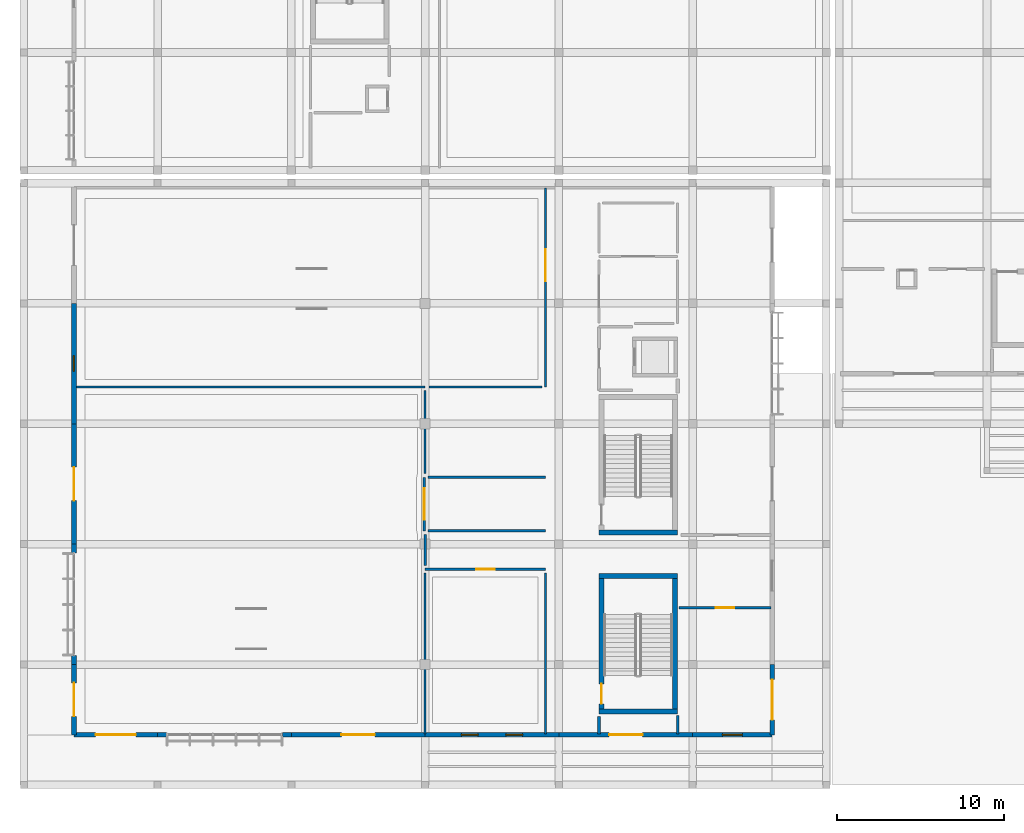
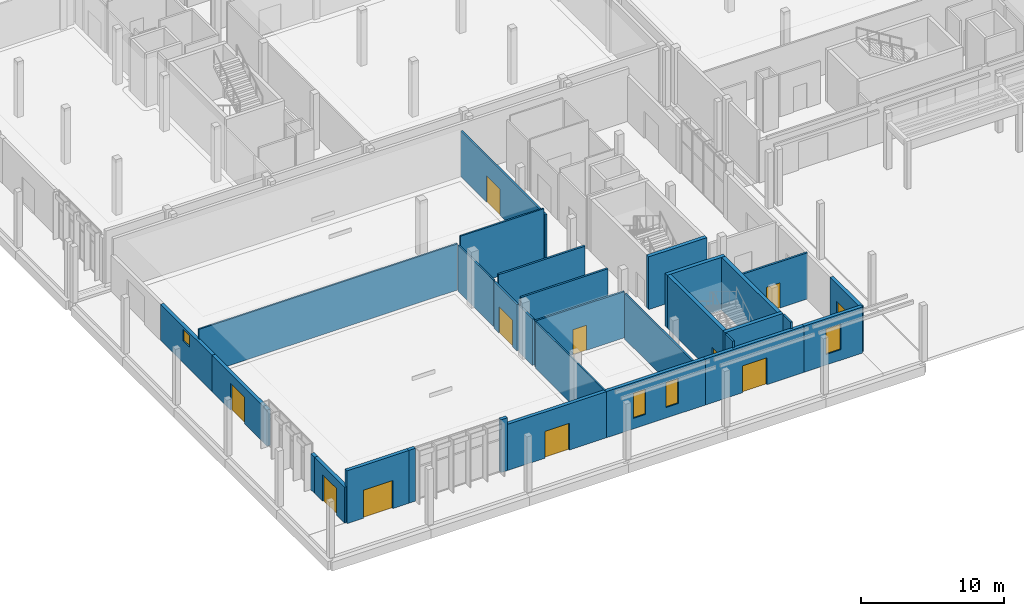
# One storey, part 115 of 151: 32 walls, 11 doors, 4 windows, 15 openings.
"""IFC4 building model written with IfcOpenShell, lengths in metres."""

import ifcopenshell
import ifcopenshell.guid

model = None  # the IFC model being written
_history = None  # IfcOwnerHistory: only IFC2X3 demands one
_inside = {}  # id of a spatial element -> (the spatial element, [elements in it])
_under = {}  # id of a project, library or spatial element -> (it, [spatial elements below it])
_declared = {}  # id of a project -> (the project, [libraries it declares])
_typed = {}  # id of a type object -> (the type object, [elements of that type])
_made_of = {}  # id of a material, layer set ... -> (it, [elements and type objects made of it])


def new_model(schema):
    """Start an empty IFC model of exactly this schema.

    Asked for "IFC4X3", IfcOpenShell would pick the latest addendum, in which some entities
    have other attributes; the version numbers below select the first issue.
    IFC2X3 requires an IfcOwnerHistory on every rooted entity: one is made here for all.
    """
    global model, _history
    if schema == "IFC4X3":
        model = ifcopenshell.file(schema_version=(4, 3, 0, 0))
    else:
        model = ifcopenshell.file(schema=schema)
    _inside.clear()
    _under.clear()
    _declared.clear()
    _typed.clear()
    _made_of.clear()
    _history = None
    if model.schema == "IFC2X3":
        org = make("IfcOrganization", Name="unknown")
        user = make(
            "IfcPersonAndOrganization",
            ThePerson=make("IfcPerson", FamilyName="unknown"),
            TheOrganization=org,
        )
        app = make(
            "IfcApplication",
            ApplicationDeveloper=org,
            Version="unknown",
            ApplicationFullName="unknown",
            ApplicationIdentifier="unknown",
        )
        _history = make(
            "IfcOwnerHistory",
            OwningUser=user,
            OwningApplication=app,
            ChangeAction="ADDED",
            CreationDate=0,
        )
    return model


def make(cls, **values):
    """One entity of the class cls with the attributes given. An attribute that is None is left unset."""
    return model.create_entity(
        cls, **{name: value for name, value in values.items() if value is not None}
    )


def rooted(cls, **values):
    """An entity with a GlobalId (a new one), such as an element, a storey or a relation."""
    return make(cls, GlobalId=ifcopenshell.guid.new(), OwnerHistory=_history, **values)


def si_unit(unit_type, name, prefix=None):
    """IfcSIUnit, for example si_unit("LENGTHUNIT", "METRE", prefix="MILLI")."""
    return make("IfcSIUnit", UnitType=unit_type, Prefix=prefix, Name=name)


def assignment(units):
    """IfcUnitAssignment: the units of a project."""
    return None if units is None else make("IfcUnitAssignment", Units=units)


def point(xyz):
    """IfcCartesianPoint."""
    return None if xyz is None else make("IfcCartesianPoint", Coordinates=xyz)


def direction(xyz):
    """IfcDirection."""
    return None if xyz is None else make("IfcDirection", DirectionRatios=xyz)


def frame(location, z_axis=None, x_axis=None):
    """IfcAxis2Placement3D, a coordinate frame: its origin and axes. An axis left out is left unset."""
    return make(
        "IfcAxis2Placement3D",
        Location=point(location),
        Axis=direction(z_axis),
        RefDirection=direction(x_axis),
    )


def frame_2d(location, x_axis=None):
    """IfcAxis2Placement2D, a coordinate frame in the plane: its origin and x axis."""
    return make(
        "IfcAxis2Placement2D", Location=point(location), RefDirection=direction(x_axis)
    )


def origin():
    """The frame at (0, 0, 0) with its axes left unset."""
    return frame((0.0, 0.0, 0.0))


def place(relative_to, where):
    """IfcLocalPlacement: puts the frame where relative to a parent placement (None: the world)."""
    return make(
        "IfcLocalPlacement", PlacementRelTo=relative_to, RelativePlacement=where
    )


def context(
    kind, dimensions, precision=None, world=None, true_north=None, identifier=None
):
    """IfcGeometricRepresentationContext, for example the 3D "Model" context."""
    return make(
        "IfcGeometricRepresentationContext",
        ContextIdentifier=identifier,
        ContextType=kind,
        CoordinateSpaceDimension=dimensions,
        Precision=precision,
        WorldCoordinateSystem=world,
        TrueNorth=true_north,
    )


def subcontext(parent, identifier, kind, view, scale=None):
    """IfcGeometricRepresentationSubContext, for example "Body" below "Model"."""
    return make(
        "IfcGeometricRepresentationSubContext",
        ContextIdentifier=identifier,
        ContextType=kind,
        ParentContext=parent,
        TargetScale=scale,
        TargetView=view,
    )


def project(units=None, contexts=None):
    """IfcProject with its units and contexts."""
    return rooted(
        "IfcProject",
        Name="project",
        RepresentationContexts=contexts,
        UnitsInContext=assignment(units),
    )


def spatial(cls, under=None, at=None, **own):
    """A site, building, storey or space (cls), placed at a placement, below another one or the project."""
    s = rooted(cls, ObjectPlacement=at, **own)
    if under is not None:
        _under.setdefault(under.id(), (under, []))[1].append(s)
    return s


def profile(cls, at=None, kind="AREA", **sizes):
    """A parametric profile (cls). Its sizes go by their IFC names, for example OverallWidth=200.0."""
    return make(cls, ProfileType=kind, Position=at, **sizes)


def rectangle(**sizes):
    """IfcRectangleProfileDef."""
    return profile("IfcRectangleProfileDef", **sizes)


def extrude(swept, where, along, depth):
    """IfcExtrudedAreaSolid: the profile swept, set in the frame where, extruded along a direction by depth."""
    return make(
        "IfcExtrudedAreaSolid",
        SweptArea=swept,
        Position=where,
        ExtrudedDirection=direction(along),
        Depth=depth,
    )


def shape(context_of_items, identifier, shape_type, items):
    """IfcShapeRepresentation: the items that make up one representation, for example the "Body"."""
    return make(
        "IfcShapeRepresentation",
        ContextOfItems=context_of_items,
        RepresentationIdentifier=identifier,
        RepresentationType=shape_type,
        Items=items,
    )


def material(Name=None, Category=None):
    """IfcMaterial."""
    return make("IfcMaterial", Name=Name, Category=Category)


def layer(
    of_material, thickness, ventilated=None, Name=None, Category=None, Priority=None
):
    """IfcMaterialLayer: one layer of a wall or slab, of a material (None: an air gap)."""
    return make(
        "IfcMaterialLayer",
        Material=of_material,
        LayerThickness=thickness,
        IsVentilated=ventilated,
        Name=Name,
        Category=Category,
        Priority=Priority,
    )


def layer_set(layers, Name=None):
    """IfcMaterialLayerSet."""
    return make("IfcMaterialLayerSet", MaterialLayers=layers, LayerSetName=Name)


def made_of(thing, what):
    """Note that an element or type object is made of a material, layer set ...; save() writes the relation."""
    if what is not None:
        _made_of.setdefault(what.id(), (what, []))[1].append(thing)
    return thing


def type_object(cls, material=None, **own):
    """A type object (cls), such as IfcWallType, which elements share."""
    return made_of(rooted(cls, **own), material)


def element(
    cls,
    number,
    at=None,
    inside=None,
    cuts=None,
    type_object=None,
    material=None,
    context=None,
    identifier="Body",
    shape_type=None,
    held_by="IfcProductDefinitionShape",
    body=None,
    shapes=None,
    **own,
):
    """One element of the class cls, such as IfcWall. Its Tag is "e" and its number.

    at: its placement. inside: the storey or other place that contains it. cuts: it is an
    opening in that element (IfcRelVoidsElement). A single representation is given by context,
    identifier, shape_type and body (its items); several are given by shapes. held_by: the class
    of the entity that holds the representations. save() writes the other relations.
    """
    e = rooted(cls, Tag="e%d" % number, ObjectPlacement=at, **own)
    if body is not None:
        shapes = [shape(context, identifier, shape_type, body)]
    if shapes is not None:
        e.Representation = make(held_by, Representations=shapes)
    if inside is not None:
        _inside.setdefault(inside.id(), (inside, []))[1].append(e)
    if cuts is not None:
        rooted(
            "IfcRelVoidsElement", RelatingBuildingElement=cuts, RelatedOpeningElement=e
        )
    if type_object is not None:
        _typed.setdefault(type_object.id(), (type_object, []))[1].append(e)
    return made_of(e, material)


def fill(opening, filler):
    """IfcRelFillsElement: the door or window that sits in an opening."""
    return rooted(
        "IfcRelFillsElement",
        RelatingOpeningElement=opening,
        RelatedBuildingElement=filler,
    )


def aggregate(whole, parts):
    """IfcRelAggregates: a whole, such as a stair, and the parts it consists of."""
    return rooted("IfcRelAggregates", RelatingObject=whole, RelatedObjects=parts)


def save(model, path):
    """Write the relations noted so far, then the file.

    IfcRelAggregates (storeys below a building ...), IfcRelContainedInSpatialStructure (elements
    in a storey), IfcRelDefinesByType, IfcRelAssociatesMaterial and IfcRelDeclares: one each for
    every whole, place, type object, material and project.
    """
    for whole, parts in _under.values():
        aggregate(whole, parts)
    for where, things in _inside.values():
        rooted(
            "IfcRelContainedInSpatialStructure",
            RelatedElements=things,
            RelatingStructure=where,
        )
    for kind, things in _typed.values():
        rooted("IfcRelDefinesByType", RelatedObjects=things, RelatingType=kind)
    for what, things in _made_of.values():
        rooted("IfcRelAssociatesMaterial", RelatedObjects=things, RelatingMaterial=what)
    for by, libraries in _declared.values():
        rooted("IfcRelDeclares", RelatingContext=by, RelatedDefinitions=libraries)
    model.write(path)


model = new_model("IFC4")

# Units and contexts
model_context = context("Model", 3, precision=1e-05, world=origin(), true_north=direction((0.0, 1.0)))
body_context = subcontext(model_context, "Body", "Model", "MODEL_VIEW")
ifc_project = project(units=[si_unit("LENGTHUNIT", "METRE"), si_unit("AREAUNIT", "SQUARE_METRE"), si_unit("VOLUMEUNIT", "CUBIC_METRE"), si_unit("PLANEANGLEUNIT", "RADIAN"), si_unit("MASSUNIT", "GRAM", prefix="KILO")], contexts=[model_context])

# Site, building, storey
site_placement = place(None, origin())
site = spatial("IfcSite", under=ifc_project, at=site_placement, CompositionType="ELEMENT")
building_placement = place(site_placement, origin())
building = spatial("IfcBuilding", under=site, at=building_placement, Name="Chiffa Square Polytechnic", CompositionType="ELEMENT")
storey_placement = place(building_placement, origin())
storey = spatial("IfcBuildingStorey", under=building, at=storey_placement, Name="L00", CompositionType="ELEMENT", Elevation=0.0)

# Walls
ifc_material_1 = material(Name="Concrete C40/50", Category="concrete")
ifc_layer_1 = layer(ifc_material_1, 0.300048828125, Name="Concrete C40/50")
ifc_layer_set_1 = layer_set([ifc_layer_1], Name="Concrete C40/50")
wall_type_1 = type_object("IfcWallType", Name="WL-CORE-300", PredefinedType="SHEAR", material=ifc_layer_set_1)
for number, where, z_axis, x_axis, name in (
    (1, (34.39990234375, 4.39990234375, 0.0), (0.0, 0.0, 1.0), (1.0, 0.0, 0.0), "Core or enclosure wall WC-CORE-V3A-L00-SOUTH"),
    (2, (34.39990234375, 12.5, 0.0), (0.0, 0.0, 1.0), (1.0, 0.0, 0.0), "Core or enclosure wall WC-CORE-V3A-L00-NORTH"),
):
    element("IfcWall", number, at=place(storey_placement, frame(where, z_axis=z_axis, x_axis=x_axis)), inside=storey, type_object=wall_type_1, Name=name, PredefinedType="SHEAR", context=body_context, shape_type="SweptSolid", body=[
        extrude(rectangle(XDim=4.7001953125, YDim=0.300048828125, at=frame_2d((2.35009765625, 0.0))), origin(), (0.0, 0.0, 1.0), 4.52001953125),
    ])

# Wall, opening, door
wall_1_placement = place(storey_placement, frame((34.550048828125, 4.550048828125, 0.0), z_axis=(0.0, 0.0, 1.0), x_axis=(0.0, 1.0, 0.0)))
wall_1 = element("IfcWall", 3, at=wall_1_placement, inside=storey, type_object=wall_type_1, Name="Core or enclosure wall WC-CORE-V3A-L00-WEST", PredefinedType="SHEAR", context=body_context, shape_type="SweptSolid", body=[
    extrude(rectangle(XDim=7.800048828125, YDim=0.300048828125, at=frame_2d((3.89990234375, 0.0))), origin(), (0.0, 0.0, 1.0), 4.52001953125),
])
opening_1_placement = place(wall_1_placement, frame((0.300048828125, 0.0, 0.0)))
opening_1 = element("IfcOpeningElement", 4, at=opening_1_placement, cuts=wall_1, Name="Opening DS-L00-021", PredefinedType="OPENING", context=body_context, shape_type="SweptSolid", body=[
    extrude(rectangle(XDim=1.199951171875, YDim=2.14990234375, at=frame_2d((0.60009765625, 1.074951171875))), frame((0.0, 0.16015625, 0.0), z_axis=(0.0, -1.0, 0.0), x_axis=(1.0, 0.0, 0.0)), (0.0, 0.0, 1.0), 0.320068359375),
])
ifc_material_2 = material(Name="Fire-rated painted steel leaf", Category="steel")
door_type_1 = type_object("IfcDoorType", Name="DR-STAIR-1200", OperationType="NOTDEFINED", PredefinedType="DOOR", material=ifc_material_2)
door_1_placement = place(opening_1_placement, origin())
door_1 = element("IfcDoor", 5, at=door_1_placement, inside=storey, type_object=door_type_1, Name="Enclosure door DS-L00-021", OperationType="SINGLE_SWING_LEFT", OverallHeight=2.14990234375, OverallWidth=1.199951171875, PredefinedType="DOOR", context=body_context, shape_type="SweptSolid", body=[
    extrude(rectangle(XDim=1.199951171875, YDim=2.14990234375, at=frame_2d((0.60009765625, 1.074951171875))), frame((0.0, 0.02490234375, 0.0), z_axis=(0.0, -1.0, 0.0), x_axis=(1.0, 0.0, 0.0)), (0.0, 0.0, 1.0), 0.050048828125),
])
fill(opening_1, door_1)

# Walls
wall_2_placement = place(storey_placement, frame((38.949951171875, 4.550048828125, 0.0), z_axis=(0.0, 0.0, 1.0), x_axis=(0.0, 1.0, 0.0)))
element("IfcWall", 6, at=wall_2_placement, inside=storey, type_object=wall_type_1, Name="Core or enclosure wall WC-CORE-V3A-L00-EAST", PredefinedType="SHEAR", context=body_context, shape_type="SweptSolid", body=[
    extrude(rectangle(XDim=7.800048828125, YDim=0.300048828125, at=frame_2d((3.89990234375, 0.0))), origin(), (0.0, 0.0, 1.0), 4.52001953125),
])
wall_3_placement = place(storey_placement, frame((34.39990234375, 15.10009765625, 0.0), z_axis=(0.0, 0.0, 1.0), x_axis=(1.0, 0.0, 0.0)))
element("IfcWall", 7, at=wall_3_placement, inside=storey, type_object=wall_type_1, Name="Core or enclosure wall WC-CORE-V3B-L00-SOUTH", PredefinedType="SHEAR", context=body_context, shape_type="SweptSolid", body=[
    extrude(rectangle(XDim=4.7001953125, YDim=0.300048828125, at=frame_2d((2.35009765625, 0.0))), origin(), (0.0, 0.0, 1.0), 4.52001953125),
])

# Wall, opening, door
ifc_material_3 = material(Name="Precast concrete C40/50", Category="concrete")
ifc_layer_2 = layer(ifc_material_3, 0.280029296875, Name="Precast concrete C40/50")
ifc_layer_set_2 = layer_set([ifc_layer_2], Name="Precast concrete C40/50")
wall_type_2 = type_object("IfcWallType", Name="WL-EXT-PC280", PredefinedType="SOLIDWALL", material=ifc_layer_set_2)
wall_4_placement = place(storey_placement, frame((3.0, 3.0, 0.0), z_axis=(0.0, 0.0, 1.0), x_axis=(1.0, 0.0, 0.0)))
wall_4 = element("IfcWall", 8, at=wall_4_placement, inside=storey, type_object=wall_type_2, Name="Exterior wall WE-V3-L00-0131", PredefinedType="SOLIDWALL", context=body_context, shape_type="SweptSolid", body=[
    extrude(rectangle(XDim=5.0, YDim=0.280029296875, at=frame_2d((2.5, 0.0))), origin(), (0.0, 0.0, 1.0), 4.52001953125),
])
opening_2_placement = place(wall_4_placement, frame((1.300048828125, 0.0, 0.0)))
opening_2 = element("IfcOpeningElement", 9, at=opening_2_placement, cuts=wall_4, Name="Opening DE-L00-019", PredefinedType="OPENING", context=body_context, shape_type="SweptSolid", body=[
    extrude(rectangle(XDim=2.39990234375, YDim=2.39990234375, at=frame_2d((1.199951171875, 1.199951171875))), frame((0.0, 0.14990234375, 0.0), z_axis=(0.0, -1.0, 0.0), x_axis=(1.0, 0.0, 0.0)), (0.0, 0.0, 1.0), 0.300048828125),
])
ifc_material_4 = material(Name="Aluminium and laminated safety glass", Category="aluminium")
door_type_2 = type_object("IfcDoorType", Name="DR-EXIT-DBL-2400", OperationType="DOUBLE_DOOR_SINGLE_SWING", PredefinedType="DOOR", material=ifc_material_4)
door_2_placement = place(opening_2_placement, origin())
door_2 = element("IfcDoor", 10, at=door_2_placement, inside=storey, type_object=door_type_2, Name="Exterior door DE-L00-019", OperationType="DOUBLE_DOOR_SINGLE_SWING", OverallHeight=2.39990234375, OverallWidth=2.39990234375, PredefinedType="DOOR", context=body_context, shape_type="SweptSolid", body=[
    extrude(rectangle(XDim=2.39990234375, YDim=2.39990234375, at=frame_2d((1.199951171875, 1.199951171875))), frame((0.0, 0.02490234375, 0.0), z_axis=(0.0, -1.0, 0.0), x_axis=(1.0, 0.0, 0.0)), (0.0, 0.0, 1.0), 0.050048828125),
])
fill(opening_2, door_2)

# Walls
for number, where, z_axis, x_axis, name in (
    (11, (8.0, 3.0, 0.0), (0.0, 0.0, 1.0), (1.0, 0.0, 0.0), "Facade column pier V3-L00-0132L"),
    (12, (15.4599609375, 3.0, 0.0), (0.0, 0.0, 1.0), (1.0, 0.0, 0.0), "Facade column pier V3-L00-0132R"),
):
    element("IfcWall", number, at=place(storey_placement, frame(where, z_axis=z_axis, x_axis=x_axis)), inside=storey, type_object=wall_type_2, Name=name, PredefinedType="SOLIDWALL", context=body_context, shape_type="SweptSolid", body=[
        extrude(rectangle(XDim=0.5400390625, YDim=0.280029296875, at=frame_2d((0.27001953125, 0.0))), origin(), (0.0, 0.0, 1.0), 4.52001953125),
    ])

# Wall, opening, door
wall_5_placement = place(storey_placement, frame((16.0, 3.0, 0.0), z_axis=(0.0, 0.0, 1.0), x_axis=(1.0, 0.0, 0.0)))
wall_5 = element("IfcWall", 13, at=wall_5_placement, inside=storey, type_object=wall_type_2, Name="Exterior wall WE-V3-L00-0133", PredefinedType="SOLIDWALL", context=body_context, shape_type="SweptSolid", body=[
    extrude(rectangle(XDim=8.0, YDim=0.280029296875, at=frame_2d((4.0, 0.0))), origin(), (0.0, 0.0, 1.0), 3.955078125),
])
opening_3_placement = place(wall_5_placement, frame((3.0, 0.0, 0.0)))
opening_3 = element("IfcOpeningElement", 14, at=opening_3_placement, cuts=wall_5, Name="Opening DE-L00-020", PredefinedType="OPENING", context=body_context, shape_type="SweptSolid", body=[
    extrude(rectangle(XDim=2.0, YDim=2.300048828125, at=frame_2d((1.0, 1.14990234375))), frame((0.0, 0.14990234375, 0.0), z_axis=(0.0, -1.0, 0.0), x_axis=(1.0, 0.0, 0.0)), (0.0, 0.0, 1.0), 0.300048828125),
])
door_type_3 = type_object("IfcDoorType", Name="DR-EXIT-DBL-2000", OperationType="DOUBLE_DOOR_SINGLE_SWING", PredefinedType="DOOR", material=ifc_material_4)
door_3_placement = place(opening_3_placement, origin())
door_3 = element("IfcDoor", 15, at=door_3_placement, inside=storey, type_object=door_type_3, Name="Exterior door DE-L00-020", OperationType="DOUBLE_DOOR_SINGLE_SWING", OverallHeight=2.300048828125, OverallWidth=2.0, PredefinedType="DOOR", context=body_context, shape_type="SweptSolid", body=[
    extrude(rectangle(XDim=2.0, YDim=2.300048828125, at=frame_2d((1.0, 1.14990234375))), frame((0.0, 0.02490234375, 0.0), z_axis=(0.0, -1.0, 0.0), x_axis=(1.0, 0.0, 0.0)), (0.0, 0.0, 1.0), 0.050048828125),
])
fill(opening_3, door_3)

# Wall, openings, windows
wall_6_placement = place(storey_placement, frame((24.0, 3.0, 0.0), z_axis=(0.0, 0.0, 1.0), x_axis=(1.0, 0.0, 0.0)))
wall_6 = element("IfcWall", 16, at=wall_6_placement, inside=storey, type_object=wall_type_2, Name="Exterior wall WE-V3-L00-0134", PredefinedType="SOLIDWALL", context=body_context, shape_type="SweptSolid", body=[
    extrude(rectangle(XDim=8.0, YDim=0.280029296875, at=frame_2d((4.0, 0.0))), origin(), (0.0, 0.0, 1.0), 3.955078125),
])
opening_4_placement = place(wall_6_placement, frame((2.1669921875, 0.0, 0.89990234375)))
opening_4 = element("IfcOpeningElement", 17, at=opening_4_placement, cuts=wall_6, Name="Opening W-25", PredefinedType="OPENING", context=body_context, shape_type="SweptSolid", body=[
    extrude(rectangle(XDim=1.0, YDim=2.14990234375, at=frame_2d((0.5, 1.074951171875))), frame((0.0, 0.14990234375, 0.0), z_axis=(0.0, -1.0, 0.0), x_axis=(1.0, 0.0, 0.0)), (0.0, 0.0, 1.0), 0.300048828125),
])
opening_5_placement = place(wall_6_placement, frame((4.8330078125, 0.0, 0.89990234375)))
opening_5 = element("IfcOpeningElement", 18, at=opening_5_placement, cuts=wall_6, Name="Opening W-25", PredefinedType="OPENING", context=body_context, shape_type="SweptSolid", body=[
    extrude(rectangle(XDim=1.0, YDim=2.14990234375, at=frame_2d((0.5, 1.074951171875))), frame((0.0, 0.14990234375, 0.0), z_axis=(0.0, -1.0, 0.0), x_axis=(1.0, 0.0, 0.0)), (0.0, 0.0, 1.0), 0.300048828125),
])
ifc_material_5 = material(Name="Double glazing in thermally broken aluminium frame", Category="aluminium")
window_type_1 = type_object("IfcWindowType", Name="WIN-LEC-1000X2150", PartitioningType="DOUBLE_PANEL_VERTICAL", PredefinedType="WINDOW", material=ifc_material_5)
window_1_placement = place(opening_4_placement, origin())
window_1 = element("IfcWindow", 19, at=window_1_placement, inside=storey, type_object=window_type_1, Name="Facade window WN-L00-0119", OverallHeight=2.14990234375, OverallWidth=1.0, PartitioningType="DOUBLE_PANEL_VERTICAL", PredefinedType="WINDOW", context=body_context, shape_type="SweptSolid", body=[
    extrude(rectangle(XDim=1.0, YDim=2.14990234375, at=frame_2d((0.5, 1.074951171875))), frame((0.0, 0.030029296875, 0.0), z_axis=(0.0, -1.0, 0.0), x_axis=(1.0, 0.0, 0.0)), (0.0, 0.0, 1.0), 0.06005859375),
])
fill(opening_4, window_1)
window_2_placement = place(opening_5_placement, origin())
window_2 = element("IfcWindow", 20, at=window_2_placement, inside=storey, type_object=window_type_1, Name="Facade window WN-L00-0120", OverallHeight=2.14990234375, OverallWidth=1.0, PartitioningType="DOUBLE_PANEL_VERTICAL", PredefinedType="WINDOW", context=body_context, shape_type="SweptSolid", body=[
    extrude(rectangle(XDim=1.0, YDim=2.14990234375, at=frame_2d((0.5, 1.074951171875))), frame((0.0, 0.030029296875, 0.0), z_axis=(0.0, -1.0, 0.0), x_axis=(1.0, 0.0, 0.0)), (0.0, 0.0, 1.0), 0.06005859375),
])
fill(opening_5, window_2)

# Wall, opening, door
wall_7_placement = place(storey_placement, frame((32.0, 3.0, 0.0), z_axis=(0.0, 0.0, 1.0), x_axis=(1.0, 0.0, 0.0)))
wall_7 = element("IfcWall", 21, at=wall_7_placement, inside=storey, type_object=wall_type_2, Name="Exterior wall WE-V3-L00-0135", PredefinedType="SOLIDWALL", context=body_context, shape_type="SweptSolid", body=[
    extrude(rectangle(XDim=8.0, YDim=0.280029296875, at=frame_2d((4.0, 0.0))), origin(), (0.0, 0.0, 1.0), 3.955078125),
])
opening_6_placement = place(wall_7_placement, frame((3.0, 0.0, 0.0)))
opening_6 = element("IfcOpeningElement", 22, at=opening_6_placement, cuts=wall_7, Name="Opening DE-L00-021", PredefinedType="OPENING", context=body_context, shape_type="SweptSolid", body=[
    extrude(rectangle(XDim=2.0, YDim=2.300048828125, at=frame_2d((1.0, 1.14990234375))), frame((0.0, 0.14990234375, 0.0), z_axis=(0.0, -1.0, 0.0), x_axis=(1.0, 0.0, 0.0)), (0.0, 0.0, 1.0), 0.300048828125),
])
door_4_placement = place(opening_6_placement, origin())
door_4 = element("IfcDoor", 23, at=door_4_placement, inside=storey, type_object=door_type_3, Name="Exterior door DE-L00-021", OperationType="DOUBLE_DOOR_SINGLE_SWING", OverallHeight=2.300048828125, OverallWidth=2.0, PredefinedType="DOOR", context=body_context, shape_type="SweptSolid", body=[
    extrude(rectangle(XDim=2.0, YDim=2.300048828125, at=frame_2d((1.0, 1.14990234375))), frame((0.0, 0.02490234375, 0.0), z_axis=(0.0, -1.0, 0.0), x_axis=(1.0, 0.0, 0.0)), (0.0, 0.0, 1.0), 0.050048828125),
])
fill(opening_6, door_4)

# Wall, opening, window
wall_8_placement = place(storey_placement, frame((40.0, 3.0, 0.0), z_axis=(0.0, 0.0, 1.0), x_axis=(1.0, 0.0, 0.0)))
wall_8 = element("IfcWall", 24, at=wall_8_placement, inside=storey, type_object=wall_type_2, Name="Exterior wall WE-V3-L00-0136", PredefinedType="SOLIDWALL", context=body_context, shape_type="SweptSolid", body=[
    extrude(rectangle(XDim=4.75, YDim=0.280029296875, at=frame_2d((2.375, 0.0))), origin(), (0.0, 0.0, 1.0), 3.955078125),
])
opening_7_placement = place(wall_8_placement, frame((1.77490234375, 0.0, 0.89990234375)))
opening_7 = element("IfcOpeningElement", 25, at=opening_7_placement, cuts=wall_8, Name="Opening W-24", PredefinedType="OPENING", context=body_context, shape_type="SweptSolid", body=[
    extrude(rectangle(XDim=1.199951171875, YDim=2.199951171875, at=frame_2d((0.60009765625, 1.10009765625))), frame((0.0, 0.14990234375, 0.0), z_axis=(0.0, -1.0, 0.0), x_axis=(1.0, 0.0, 0.0)), (0.0, 0.0, 1.0), 0.300048828125),
])
window_type_2 = type_object("IfcWindowType", Name="WIN-LEC-1200X2200", PartitioningType="DOUBLE_PANEL_VERTICAL", PredefinedType="WINDOW", material=ifc_material_5)
window_3_placement = place(opening_7_placement, origin())
window_3 = element("IfcWindow", 26, at=window_3_placement, inside=storey, type_object=window_type_2, Name="Facade window WN-L00-0121", OverallHeight=2.199951171875, OverallWidth=1.199951171875, PartitioningType="DOUBLE_PANEL_VERTICAL", PredefinedType="WINDOW", context=body_context, shape_type="SweptSolid", body=[
    extrude(rectangle(XDim=1.199951171875, YDim=2.199951171875, at=frame_2d((0.60009765625, 1.10009765625))), frame((0.0, 0.030029296875, 0.0), z_axis=(0.0, -1.0, 0.0), x_axis=(1.0, 0.0, 0.0)), (0.0, 0.0, 1.0), 0.06005859375),
])
fill(opening_7, window_3)

# Wall, opening, door
wall_9_placement = place(storey_placement, frame((44.75, 3.0, 0.0), z_axis=(0.0, 0.0, 1.0), x_axis=(0.0, 1.0, 0.0)))
wall_9 = element("IfcWall", 27, at=wall_9_placement, inside=storey, type_object=wall_type_2, Name="Exterior wall WE-V3-L00-0137", PredefinedType="SOLIDWALL", context=body_context, shape_type="SweptSolid", body=[
    extrude(rectangle(XDim=4.199951171875, YDim=0.280029296875, at=frame_2d((2.10009765625, 0.0))), origin(), (0.0, 0.0, 1.0), 3.905029296875),
])
opening_8_placement = place(wall_9_placement, frame((0.89990234375, 0.0, 0.0)))
opening_8 = element("IfcOpeningElement", 28, at=opening_8_placement, cuts=wall_9, Name="Opening DE-L00-022", PredefinedType="OPENING", context=body_context, shape_type="SweptSolid", body=[
    extrude(rectangle(XDim=2.39990234375, YDim=2.39990234375, at=frame_2d((1.199951171875, 1.199951171875))), frame((0.0, 0.14990234375, 0.0), z_axis=(0.0, -1.0, 0.0), x_axis=(1.0, 0.0, 0.0)), (0.0, 0.0, 1.0), 0.300048828125),
])
door_5_placement = place(opening_8_placement, origin())
door_5 = element("IfcDoor", 29, at=door_5_placement, inside=storey, type_object=door_type_2, Name="Exterior door DE-L00-022", OperationType="DOUBLE_DOOR_SINGLE_SWING", OverallHeight=2.39990234375, OverallWidth=2.39990234375, PredefinedType="DOOR", context=body_context, shape_type="SweptSolid", body=[
    extrude(rectangle(XDim=2.39990234375, YDim=2.39990234375, at=frame_2d((1.199951171875, 1.199951171875))), frame((0.0, 0.02490234375, 0.0), z_axis=(0.0, -1.0, 0.0), x_axis=(1.0, 0.0, 0.0)), (0.0, 0.0, 1.0), 0.050048828125),
])
fill(opening_8, door_5)

# Wall, opening, window
wall_10_placement = place(storey_placement, frame((3.0, 28.800048828125, 0.0), z_axis=(0.0, 0.0, 1.0), x_axis=(0.0, -1.0, 0.0)))
wall_10 = element("IfcWall", 30, at=wall_10_placement, inside=storey, type_object=wall_type_2, Name="Exterior wall WE-V3-L00-0144", PredefinedType="SOLIDWALL", context=body_context, shape_type="SweptSolid", body=[
    extrude(rectangle(XDim=7.199951171875, YDim=0.280029296875, at=frame_2d((3.60009765625, 0.0))), origin(), (0.0, 0.0, 1.0), 3.10498046875),
])
opening_9_placement = place(wall_10_placement, frame((3.125, 0.0, 1.885009765625)))
opening_9 = element("IfcOpeningElement", 31, at=opening_9_placement, cuts=wall_10, Name="Opening W-33", PredefinedType="OPENING", context=body_context, shape_type="SweptSolid", body=[
    extrude(rectangle(XDim=0.949951171875, YDim=1.0, at=frame_2d((0.47509765625, 0.5))), frame((0.0, 0.14990234375, 0.0), z_axis=(0.0, -1.0, 0.0), x_axis=(1.0, 0.0, 0.0)), (0.0, 0.0, 1.0), 0.300048828125),
])
window_type_3 = type_object("IfcWindowType", Name="WIN-OFF-0950X1000", PartitioningType="DOUBLE_PANEL_VERTICAL", PredefinedType="WINDOW", material=ifc_material_5)
window_4_placement = place(opening_9_placement, origin())
window_4 = element("IfcWindow", 32, at=window_4_placement, inside=storey, type_object=window_type_3, Name="Facade window WN-L00-0122", OverallHeight=1.0, OverallWidth=0.949951171875, PartitioningType="DOUBLE_PANEL_VERTICAL", PredefinedType="WINDOW", context=body_context, shape_type="SweptSolid", body=[
    extrude(rectangle(XDim=0.949951171875, YDim=1.0, at=frame_2d((0.47509765625, 0.5))), frame((0.0, 0.030029296875, 0.0), z_axis=(0.0, -1.0, 0.0), x_axis=(1.0, 0.0, 0.0)), (0.0, 0.0, 1.0), 0.06005859375),
])
fill(opening_9, window_4)

# Wall, opening, door
wall_11_placement = place(storey_placement, frame((3.0, 21.60009765625, 0.0), z_axis=(0.0, 0.0, 1.0), x_axis=(0.0, -1.0, 0.0)))
wall_11 = element("IfcWall", 33, at=wall_11_placement, inside=storey, type_object=wall_type_2, Name="Exterior wall WE-V3-L00-0145", PredefinedType="SOLIDWALL", context=body_context, shape_type="SweptSolid", body=[
    extrude(rectangle(XDim=7.2001953125, YDim=0.280029296875, at=frame_2d((3.60009765625, 0.0))), origin(), (0.0, 0.0, 1.0), 3.10498046875),
])
opening_10_placement = place(wall_11_placement, frame((2.60009765625, 0.0, 0.0)))
opening_10 = element("IfcOpeningElement", 34, at=opening_10_placement, cuts=wall_11, Name="Opening DE-L00-027", PredefinedType="OPENING", context=body_context, shape_type="SweptSolid", body=[
    extrude(rectangle(XDim=2.0, YDim=2.300048828125, at=frame_2d((1.0, 1.14990234375))), frame((0.0, 0.14990234375, 0.0), z_axis=(0.0, -1.0, 0.0), x_axis=(1.0, 0.0, 0.0)), (0.0, 0.0, 1.0), 0.300048828125),
])
door_6_placement = place(opening_10_placement, origin())
door_6 = element("IfcDoor", 35, at=door_6_placement, inside=storey, type_object=door_type_3, Name="Exterior door DE-L00-027", OperationType="DOUBLE_DOOR_SINGLE_SWING", OverallHeight=2.300048828125, OverallWidth=2.0, PredefinedType="DOOR", context=body_context, shape_type="SweptSolid", body=[
    extrude(rectangle(XDim=2.0, YDim=2.300048828125, at=frame_2d((1.0, 1.14990234375))), frame((0.0, 0.02490234375, 0.0), z_axis=(0.0, -1.0, 0.0), x_axis=(1.0, 0.0, 0.0)), (0.0, 0.0, 1.0), 0.050048828125),
])
fill(opening_10, door_6)

# Walls
wall_12_placement = place(storey_placement, frame((3.0, 14.39990234375, 0.0), z_axis=(0.0, 0.0, 1.0), x_axis=(0.0, -1.0, 0.0)))
element("IfcWall", 36, at=wall_12_placement, inside=storey, type_object=wall_type_2, Name="Facade column pier V3-L00-0146L", PredefinedType="SOLIDWALL", context=body_context, shape_type="SweptSolid", body=[
    extrude(rectangle(XDim=0.539794921875, YDim=0.280029296875, at=frame_2d((0.27001953125, 0.0))), origin(), (0.0, 0.0, 1.0), 3.10498046875),
])
wall_13_placement = place(storey_placement, frame((3.0, 7.739990234375, 0.0), z_axis=(0.0, 0.0, 1.0), x_axis=(0.0, -1.0, 0.0)))
element("IfcWall", 37, at=wall_13_placement, inside=storey, type_object=wall_type_2, Name="Facade column pier V3-L00-0146R", PredefinedType="SOLIDWALL", context=body_context, shape_type="SweptSolid", body=[
    extrude(rectangle(XDim=0.5400390625, YDim=0.280029296875, at=frame_2d((0.27001953125, 0.0))), origin(), (0.0, 0.0, 1.0), 3.10498046875),
])

# Wall, opening, door
wall_14_placement = place(storey_placement, frame((3.0, 7.199951171875, 0.0), z_axis=(0.0, 0.0, 1.0), x_axis=(0.0, -1.0, 0.0)))
wall_14 = element("IfcWall", 38, at=wall_14_placement, inside=storey, type_object=wall_type_2, Name="Exterior wall WE-V3-L00-0147", PredefinedType="SOLIDWALL", context=body_context, shape_type="SweptSolid", body=[
    extrude(rectangle(XDim=4.199951171875, YDim=0.280029296875, at=frame_2d((2.10009765625, 0.0))), origin(), (0.0, 0.0, 1.0), 3.10498046875),
])
opening_11_placement = place(wall_14_placement, frame((1.10009765625, 0.0, 0.0)))
opening_11 = element("IfcOpeningElement", 39, at=opening_11_placement, cuts=wall_14, Name="Opening DE-L00-028", PredefinedType="OPENING", context=body_context, shape_type="SweptSolid", body=[
    extrude(rectangle(XDim=2.0, YDim=2.300048828125, at=frame_2d((1.0, 1.14990234375))), frame((0.0, 0.14990234375, 0.0), z_axis=(0.0, -1.0, 0.0), x_axis=(1.0, 0.0, 0.0)), (0.0, 0.0, 1.0), 0.300048828125),
])
door_7_placement = place(opening_11_placement, origin())
door_7 = element("IfcDoor", 40, at=door_7_placement, inside=storey, type_object=door_type_3, Name="Exterior door DE-L00-028", OperationType="DOUBLE_DOOR_SINGLE_SWING", OverallHeight=2.300048828125, OverallWidth=2.0, PredefinedType="DOOR", context=body_context, shape_type="SweptSolid", body=[
    extrude(rectangle(XDim=2.0, YDim=2.300048828125, at=frame_2d((1.0, 1.14990234375))), frame((0.0, 0.02490234375, 0.0), z_axis=(0.0, -1.0, 0.0), x_axis=(1.0, 0.0, 0.0)), (0.0, 0.0, 1.0), 0.050048828125),
])
fill(opening_11, door_7)

# Walls
ifc_material_6 = material(Name="Gypsum board on steel stud", Category="steel")
ifc_layer_3 = layer(ifc_material_6, 0.125, Name="Gypsum board on steel stud")
ifc_layer_set_3 = layer_set([ifc_layer_3], Name="Gypsum board on steel stud")
wall_type_3 = type_object("IfcWallType", Name="WL-PART-125", PredefinedType="PARTITIONING", material=ifc_layer_set_3)
wall_15_placement = place(storey_placement, frame((24.0, 3.054931640625, 0.0), z_axis=(0.0, 0.0, 1.0), x_axis=(0.0, 1.0, 0.0)))
element("IfcWall", 41, at=wall_15_placement, inside=storey, type_object=wall_type_3, Name="Interior partition WP-V3-L00-0131", PredefinedType="PARTITIONING", context=body_context, shape_type="SweptSolid", body=[
    extrude(rectangle(XDim=9.625, YDim=0.125, at=frame_2d((4.8125, 0.0))), origin(), (0.0, 0.0, 1.0), 3.955078125),
])
wall_16_placement = place(storey_placement, frame((3.054931640625, 23.800048828125, 0.0), z_axis=(0.0, 0.0, 1.0), x_axis=(1.0, 0.0, 0.0)))
element("IfcWall", 42, at=wall_16_placement, inside=storey, type_object=wall_type_3, Name="Interior partition WP-V3-L00-0167", PredefinedType="PARTITIONING", context=body_context, shape_type="SweptSolid", body=[
    extrude(rectangle(XDim=20.945068359375, YDim=0.125, at=frame_2d((10.47265625, 0.0))), origin(), (0.0, 0.0, 1.0), 3.955078125),
])
wall_17_placement = place(storey_placement, frame((24.0, 18.614013671875, 0.0), z_axis=(0.0, 0.0, 1.0), x_axis=(0.0, 1.0, 0.0)))
element("IfcWall", 43, at=wall_17_placement, inside=storey, type_object=wall_type_3, Name="Interior partition WP-V3-L00-0185", PredefinedType="PARTITIONING", context=body_context, shape_type="SweptSolid", body=[
    extrude(rectangle(XDim=4.966064453125, YDim=0.125, at=frame_2d((2.48291015625, 0.0))), origin(), (0.0, 0.0, 1.0), 3.955078125),
])
ifc_layer_4 = layer(ifc_material_6, 0.135009765625, Name="Gypsum board on steel stud")
ifc_layer_set_4 = layer_set([ifc_layer_4], Name="Gypsum board on steel stud")
wall_type_4 = type_object("IfcWallType", Name="WL-PART-135", PredefinedType="PARTITIONING", material=ifc_layer_set_4)
wall_18_placement = place(storey_placement, frame((31.199951171875, 3.054931640625, 0.0), z_axis=(0.0, 0.0, 1.0), x_axis=(0.0, 1.0, 0.0)))
element("IfcWall", 44, at=wall_18_placement, inside=storey, type_object=wall_type_4, Name="Interior partition WP-V3-L00-0130", PredefinedType="PARTITIONING", context=body_context, shape_type="SweptSolid", body=[
    extrude(rectangle(XDim=9.625, YDim=0.135009765625, at=frame_2d((4.8125, 0.0))), origin(), (0.0, 0.0, 1.0), 3.905029296875),
])
wall_19_placement = place(storey_placement, frame((24.219970703125, 23.800048828125, 0.0), z_axis=(0.0, 0.0, 1.0), x_axis=(1.0, 0.0, 0.0)))
element("IfcWall", 45, at=wall_19_placement, inside=storey, type_object=wall_type_4, Name="Interior partition WP-V3-L00-0169", PredefinedType="PARTITIONING", context=body_context, shape_type="SweptSolid", body=[
    extrude(rectangle(XDim=6.760009765625, YDim=0.135009765625, at=frame_2d((3.3798828125, 0.0))), origin(), (0.0, 0.0, 1.0), 4.52001953125),
])
ifc_layer_5 = layer(ifc_material_6, 0.14501953125, Name="Gypsum board on steel stud")
ifc_layer_set_5 = layer_set([ifc_layer_5], Name="Gypsum board on steel stud")
wall_type_5 = type_object("IfcWallType", Name="WL-PART-145", PredefinedType="PARTITIONING", material=ifc_layer_set_5)
wall_20_placement = place(storey_placement, frame((39.10009765625, 3.054931640625, 0.0), z_axis=(0.0, 0.0, 1.0), x_axis=(0.0, 1.0, 0.0)))
element("IfcWall", 46, at=wall_20_placement, inside=storey, type_object=wall_type_5, Name="Interior partition WP-V3-L00-0114", PredefinedType="PARTITIONING", context=body_context, shape_type="SweptSolid", body=[
    extrude(rectangle(XDim=1.10498046875, YDim=0.14501953125, at=frame_2d((0.552490234375, 0.0))), origin(), (0.0, 0.0, 1.0), 4.52001953125),
])

# Wall, opening, door
wall_21_placement = place(storey_placement, frame((24.0, 12.89990234375, 0.0), z_axis=(0.0, 0.0, 1.0), x_axis=(1.0, 0.0, 0.0)))
wall_21 = element("IfcWall", 47, at=wall_21_placement, inside=storey, type_object=wall_type_5, Name="Interior partition WP-V3-L00-0129", PredefinedType="PARTITIONING", context=body_context, shape_type="SweptSolid", body=[
    extrude(rectangle(XDim=7.199951171875, YDim=0.14501953125, at=frame_2d((3.60009765625, 0.0))), origin(), (0.0, 0.0, 1.0), 3.955078125),
])
opening_12_placement = place(wall_21_placement, frame((3.050048828125, 0.0, 0.0)))
opening_12 = element("IfcOpeningElement", 48, at=opening_12_placement, cuts=wall_21, Name="Opening DI-L00-086", PredefinedType="OPENING", context=body_context, shape_type="SweptSolid", body=[
    extrude(rectangle(XDim=1.10009765625, YDim=2.14990234375, at=frame_2d((0.550048828125, 1.074951171875))), frame((0.0, 0.08251953125, 0.0), z_axis=(0.0, -1.0, 0.0), x_axis=(1.0, 0.0, 0.0)), (0.0, 0.0, 1.0), 0.1650390625),
])
ifc_material_7 = material(Name="Solid core ash veneer door")
door_type_4 = type_object("IfcDoorType", Name="DR-INT-1100", OperationType="NOTDEFINED", PredefinedType="DOOR", material=ifc_material_7)
door_8_placement = place(opening_12_placement, origin())
door_8 = element("IfcDoor", 49, at=door_8_placement, inside=storey, type_object=door_type_4, Name="Interior room door DI-L00-086", OperationType="SINGLE_SWING_LEFT", OverallHeight=2.14990234375, OverallWidth=1.10009765625, PredefinedType="DOOR", context=body_context, shape_type="SweptSolid", body=[
    extrude(rectangle(XDim=1.10009765625, YDim=2.14990234375, at=frame_2d((0.550048828125, 1.074951171875))), frame((0.0, 0.02490234375, 0.0), z_axis=(0.0, -1.0, 0.0), x_axis=(1.0, 0.0, 0.0)), (0.0, 0.0, 1.0), 0.050048828125),
])
fill(opening_12, door_8)

wall_22_placement = place(storey_placement, frame((31.199951171875, 23.800048828125, 0.0), z_axis=(0.0, 0.0, 1.0), x_axis=(0.0, 1.0, 0.0)))
wall_22 = element("IfcWall", 50, at=wall_22_placement, inside=storey, type_object=wall_type_5, Name="Interior partition WP-V3-L00-0168", PredefinedType="PARTITIONING", context=body_context, shape_type="SweptSolid", body=[
    extrude(rectangle(XDim=11.89501953125, YDim=0.14501953125, at=frame_2d((5.947509765625, 0.0))), origin(), (0.0, 0.0, 1.0), 3.905029296875),
])
opening_13_placement = place(wall_22_placement, frame((6.3349609375, 0.0, 0.0)))
opening_13 = element("IfcOpeningElement", 51, at=opening_13_placement, cuts=wall_22, Name="Opening DI-L00-100", PredefinedType="OPENING", context=body_context, shape_type="SweptSolid", body=[
    extrude(rectangle(XDim=1.89990234375, YDim=2.25, at=frame_2d((0.949951171875, 1.125))), frame((0.0, 0.08251953125, 0.0), z_axis=(0.0, -1.0, 0.0), x_axis=(1.0, 0.0, 0.0)), (0.0, 0.0, 1.0), 0.1650390625),
])
ifc_material_8 = material(Name="Acoustic oak auditorium double door")
door_type_5 = type_object("IfcDoorType", Name="DR-LEC-DBL-1900", OperationType="DOUBLE_DOOR_SINGLE_SWING", PredefinedType="DOOR", material=ifc_material_8)
door_9_placement = place(opening_13_placement, origin())
door_9 = element("IfcDoor", 52, at=door_9_placement, inside=storey, type_object=door_type_5, Name="Interior room door DI-L00-100", OperationType="DOUBLE_DOOR_SINGLE_SWING", OverallHeight=2.25, OverallWidth=1.89990234375, PredefinedType="DOOR", context=body_context, shape_type="SweptSolid", body=[
    extrude(rectangle(XDim=1.89990234375, YDim=2.25, at=frame_2d((0.949951171875, 1.125))), frame((0.0, 0.02490234375, 0.0), z_axis=(0.0, -1.0, 0.0), x_axis=(1.0, 0.0, 0.0)), (0.0, 0.0, 1.0), 0.050048828125),
])
fill(opening_13, door_9)

# Wall
wall_23_placement = place(storey_placement, frame((24.0, 13.1201171875, 0.0), z_axis=(0.0, 0.0, 1.0), x_axis=(0.0, 1.0, 0.0)))
element("IfcWall", 53, at=wall_23_placement, inside=storey, type_object=wall_type_5, Name="Interior partition WP-V3-L00-0186", PredefinedType="PARTITIONING", context=body_context, shape_type="SweptSolid", body=[
    extrude(rectangle(XDim=1.865966796875, YDim=0.14501953125, at=frame_2d((0.93310546875, 0.0))), origin(), (0.0, 0.0, 1.0), 3.955078125),
])

# Wall, opening, door
ifc_material_9 = material(Name="Gypsum board on acoustic steel stud", Category="steel")
ifc_layer_6 = layer(ifc_material_9, 0.159912109375, Name="Gypsum board on acoustic steel stud")
ifc_layer_set_6 = layer_set([ifc_layer_6], Name="Gypsum board on acoustic steel stud")
wall_type_6 = type_object("IfcWallType", Name="WL-PART-EI60-160", PredefinedType="PARTITIONING", material=ifc_layer_set_6)
wall_24_placement = place(storey_placement, frame((39.18994140625, 10.60009765625, 0.0), z_axis=(0.0, 0.0, 1.0), x_axis=(1.0, 0.0, 0.0)))
wall_24 = element("IfcWall", 54, at=wall_24_placement, inside=storey, type_object=wall_type_6, Name="Interior partition WP-V3-L00-0113", PredefinedType="PARTITIONING", context=body_context, shape_type="SweptSolid", body=[
    extrude(rectangle(XDim=5.505126953125, YDim=0.159912109375, at=frame_2d((2.75244140625, 0.0))), origin(), (0.0, 0.0, 1.0), 3.955078125),
])
opening_14_placement = place(wall_24_placement, frame((2.202880859375, 0.0, 0.0)))
opening_14 = element("IfcOpeningElement", 55, at=opening_14_placement, cuts=wall_24, Name="Opening DI-L00-081", PredefinedType="OPENING", context=body_context, shape_type="SweptSolid", body=[
    extrude(rectangle(XDim=1.10009765625, YDim=2.14990234375, at=frame_2d((0.550048828125, 1.074951171875))), frame((0.0, 0.08984375, 0.0), z_axis=(0.0, -1.0, 0.0), x_axis=(1.0, 0.0, 0.0)), (0.0, 0.0, 1.0), 0.179931640625),
])
door_10_placement = place(opening_14_placement, origin())
door_10 = element("IfcDoor", 56, at=door_10_placement, inside=storey, type_object=door_type_4, Name="Interior room door DI-L00-081", OperationType="SINGLE_SWING_RIGHT", OverallHeight=2.14990234375, OverallWidth=1.10009765625, PredefinedType="DOOR", context=body_context, shape_type="SweptSolid", body=[
    extrude(rectangle(XDim=1.10009765625, YDim=2.14990234375, at=frame_2d((0.550048828125, 1.074951171875))), frame((0.0, 0.02490234375, 0.0), z_axis=(0.0, -1.0, 0.0), x_axis=(1.0, 0.0, 0.0)), (0.0, 0.0, 1.0), 0.050048828125),
])
fill(opening_14, door_10)

wall_25_placement = place(storey_placement, frame((23.949951171875, 15.199951171875, 0.0), z_axis=(0.0, 0.0, 1.0), x_axis=(0.0, 1.0, 0.0)))
wall_25 = element("IfcWall", 57, at=wall_25_placement, inside=storey, type_object=wall_type_6, Name="Interior partition WP-V3-L00-0151", PredefinedType="PARTITIONING", context=body_context, shape_type="SweptSolid", body=[
    extrude(rectangle(XDim=3.199951171875, YDim=0.159912109375, at=frame_2d((1.60009765625, 0.0))), origin(), (0.0, 0.0, 1.0), 3.955078125),
])
opening_15_placement = place(wall_25_placement, frame((0.64990234375, 0.0, 0.0)))
opening_15 = element("IfcOpeningElement", 58, at=opening_15_placement, cuts=wall_25, Name="Opening DI-L00-094", PredefinedType="OPENING", context=body_context, shape_type="SweptSolid", body=[
    extrude(rectangle(XDim=1.89990234375, YDim=2.25, at=frame_2d((0.949951171875, 1.125))), frame((0.0, 0.08984375, 0.0), z_axis=(0.0, -1.0, 0.0), x_axis=(1.0, 0.0, 0.0)), (0.0, 0.0, 1.0), 0.179931640625),
])
door_11_placement = place(opening_15_placement, origin())
door_11 = element("IfcDoor", 59, at=door_11_placement, inside=storey, type_object=door_type_5, Name="Interior room door DI-L00-094", OperationType="DOUBLE_DOOR_SINGLE_SWING", OverallHeight=2.25, OverallWidth=1.89990234375, PredefinedType="DOOR", context=body_context, shape_type="SweptSolid", body=[
    extrude(rectangle(XDim=1.89990234375, YDim=2.25, at=frame_2d((0.949951171875, 1.125))), frame((0.0, 0.02490234375, 0.0), z_axis=(0.0, -1.0, 0.0), x_axis=(1.0, 0.0, 0.0)), (0.0, 0.0, 1.0), 0.050048828125),
])
fill(opening_15, door_11)

# Walls
wall_26_placement = place(storey_placement, frame((34.39990234375, 3.054931640625, 0.0), z_axis=(0.0, 0.0, 1.0), x_axis=(0.0, 1.0, 0.0)))
element("IfcWall", 60, at=wall_26_placement, inside=storey, type_object=wall_type_6, Name="Interior partition WP-V3-L00-0208", PredefinedType="PARTITIONING", context=body_context, shape_type="SweptSolid", body=[
    extrude(rectangle(XDim=1.053955078125, YDim=0.159912109375, at=frame_2d((0.52685546875, 0.0))), origin(), (0.0, 0.0, 1.0), 4.52001953125),
])
for number, where, z_axis, x_axis, name in (
    (61, (24.169921875, 15.199951171875, 0.0), (0.0, 0.0, 1.0), (1.0, 0.0, 0.0), "Interior partition WP-V3-L00-0209"),
    (62, (24.169921875, 18.39990234375, 0.0), (0.0, 0.0, 1.0), (1.0, 0.0, 0.0), "Interior partition WP-V3-L00-0210"),
):
    element("IfcWall", number, at=place(storey_placement, frame(where, z_axis=z_axis, x_axis=x_axis)), inside=storey, type_object=wall_type_6, Name=name, PredefinedType="PARTITIONING", context=body_context, shape_type="SweptSolid", body=[
        extrude(rectangle(XDim=7.030029296875, YDim=0.159912109375, at=frame_2d((3.51513671875, 0.0))), origin(), (0.0, 0.0, 1.0), 4.52001953125),
    ])

save(model, "model.ifc")
